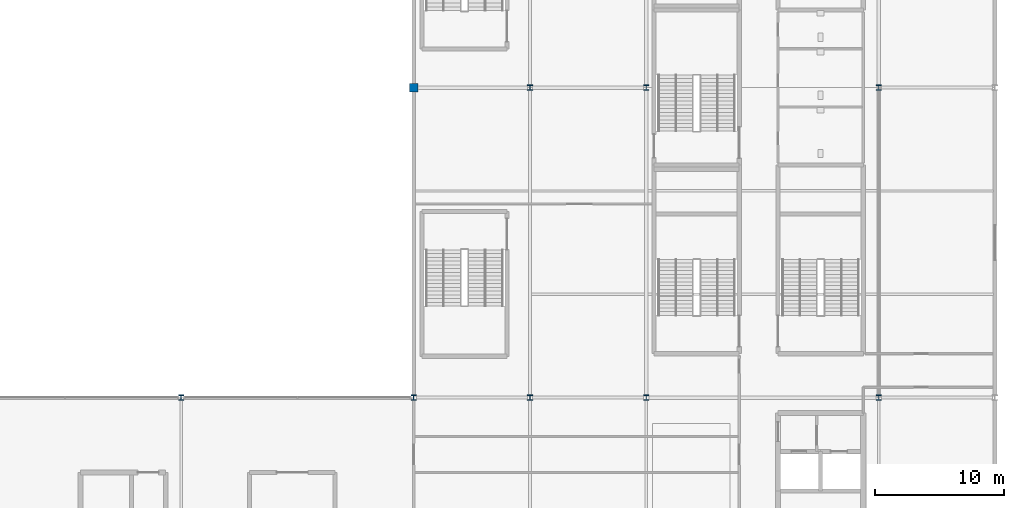
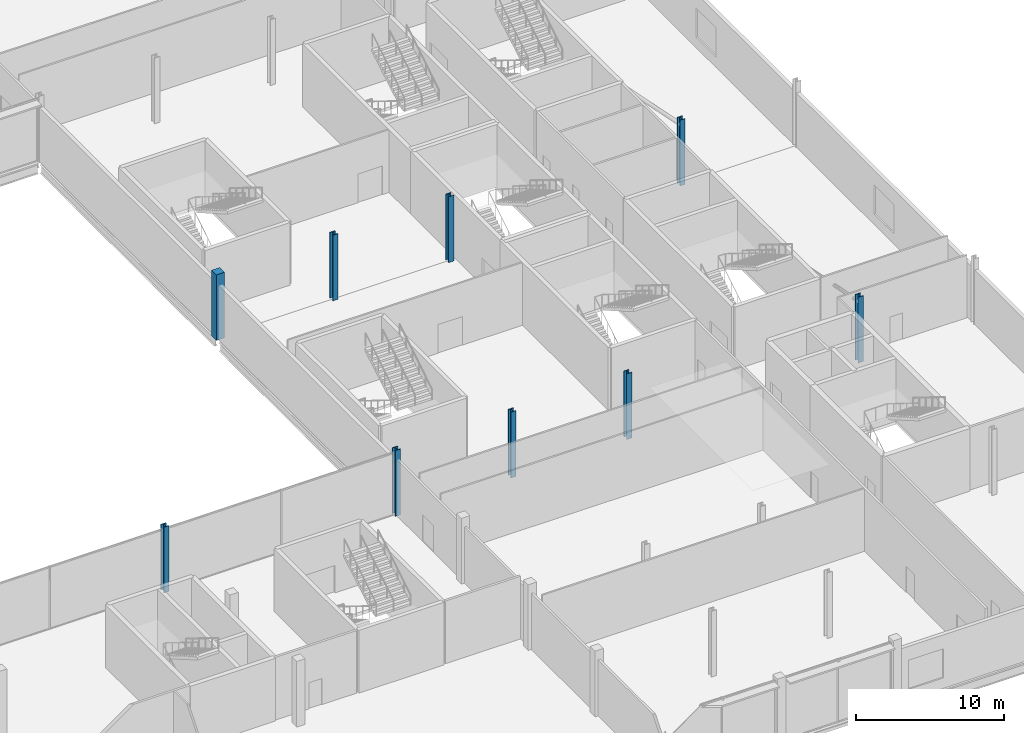
# One storey, part 8 of 111: 9 columns.
"""IFC4 building model written with IfcOpenShell, lengths in metres."""

from ifc_helpers import new_model, si_unit, direction, frame, origin, origin_2d, place, context, subcontext, project, spatial, rectangle, i_section, extrude, material, material_profile, profile_set, type_object, element, save


model = new_model("IFC4")

# Units and contexts
model_context = context("Model", 3, precision=1e-05, world=origin(), true_north=direction((0.0, 1.0)))
body_context = subcontext(model_context, "Body", "Model", "MODEL_VIEW")
ifc_project = project(units=[si_unit("LENGTHUNIT", "METRE"), si_unit("AREAUNIT", "SQUARE_METRE"), si_unit("VOLUMEUNIT", "CUBIC_METRE"), si_unit("PLANEANGLEUNIT", "RADIAN"), si_unit("MASSUNIT", "GRAM", prefix="KILO")], contexts=[model_context])

# Site, building, storey
site_placement = place(None, origin())
site = spatial("IfcSite", under=ifc_project, at=site_placement, CompositionType="ELEMENT")
building_placement = place(site_placement, origin())
building = spatial("IfcBuilding", under=site, at=building_placement, Name="Kisiwana Market Hall", CompositionType="ELEMENT")
storey_placement = place(building_placement, frame((0.0, 0.0, 11.39990234375)))
storey = spatial("IfcBuildingStorey", under=building, at=storey_placement, Name="L02", CompositionType="ELEMENT", Elevation=11.39990234375)

# Columns
ifc_material_1 = material(Name="Concrete C40/50", Category="concrete")
ifc_material_profile_1 = material_profile(ifc_material_1, rectangle(XDim=0.64990234375, YDim=0.64990234375, at=origin_2d()), Name="RC 650x650")
ifc_profile_set_1 = profile_set([ifc_material_profile_1], Name="Concrete C40/50")
column_type_1 = type_object("IfcColumnType", Name="COL-RC-POD-650", PredefinedType="COLUMN", material=ifc_profile_set_1)
column_placement = place(storey_placement, frame((153.0, 60.0, 0.0), z_axis=(0.0, 0.0, 1.0), x_axis=(1.0, 0.0, 0.0)))
element("IfcColumn", 1, at=column_placement, inside=storey, type_object=column_type_1, Name="Column H/18 (L02) C-0604", PredefinedType="COLUMN", context=body_context, shape_type="SweptSolid", body=[
    extrude(rectangle(XDim=0.64990234375, YDim=0.64990234375, at=origin_2d()), origin(), (0.0, 0.0, 1.0), 5.400146484375),
])
ifc_material_2 = material(Name="Steel S355", Category="steel")
ifc_material_profile_2 = material_profile(ifc_material_2, i_section(OverallWidth=0.406005859375, OverallDepth=0.416015625, WebThickness=0.02978515625, FlangeThickness=0.048095703125, at=origin_2d()), Name="HD 400x382")
ifc_profile_set_2 = profile_set([ifc_material_profile_2], Name="Steel S355")
column_type_2 = type_object("IfcColumnType", Name="COL-STL-HD382", PredefinedType="COLUMN", material=ifc_profile_set_2)
for number, where, z_axis, x_axis, name in (
    (2, (162.0, 36.0, 0.0), (0.0, 0.0, 1.0), (1.0, 0.0, 0.0), "Column E/19 (L02) C-0613"),
    (3, (171.0, 36.0, 0.0), (0.0, 0.0, 1.0), (1.0, 0.0, 0.0), "Column E/20 (L02) C-0621"),
    (4, (171.0, 60.0, 0.0), (0.0, 0.0, 1.0), (1.0, 0.0, 0.0), "Column H/20 (L02) C-0622"),
    (5, (189.0, 36.0, 0.0), (0.0, 0.0, 1.0), (1.0, 0.0, 0.0), "Column E/22 (L02) C-0630"),
    (6, (162.0, 60.0, 0.0), (0.0, 0.0, 1.0), (1.0, 0.0, 0.0), "Column H/19 (L02) C-0508"),
    (7, (189.0, 60.0, 0.0), (0.0, 0.0, 1.0), (1.0, 0.0, 0.0), "Column H/22 (L02) C-0509"),
):
    element("IfcColumn", number, at=place(storey_placement, frame(where, z_axis=z_axis, x_axis=x_axis)), inside=storey, type_object=column_type_2, Name=name, PredefinedType="COLUMN", context=body_context, shape_type="SweptSolid", body=[
        extrude(i_section(OverallWidth=0.406005859375, OverallDepth=0.416015625, WebThickness=0.02978515625, FlangeThickness=0.048095703125, at=origin_2d()), origin(), (0.0, 0.0, 1.0), 5.400146484375),
    ])
ifc_material_3 = material(Name="Steel S355", Category="steel")
ifc_material_profile_3 = material_profile(ifc_material_3, i_section(OverallWidth=0.412109375, OverallDepth=0.43505859375, WebThickness=0.035888671875, FlangeThickness=0.05810546875, at=origin_2d()), Name="HD 400x463")
ifc_profile_set_3 = profile_set([ifc_material_profile_3], Name="Steel S355")
column_type_3 = type_object("IfcColumnType", Name="COL-STL-HD463", PredefinedType="COLUMN", material=ifc_profile_set_3)
for number, where, z_axis, x_axis, name in (
    (8, (135.0, 36.0, 0.0), (0.0, 0.0, 1.0), (1.0, 0.0, 0.0), "Column E/16 (L02) C-0594"),
    (9, (153.0, 36.0, 0.0), (0.0, 0.0, 1.0), (1.0, 0.0, 0.0), "Column E/18 (L02) C-0603"),
):
    element("IfcColumn", number, at=place(storey_placement, frame(where, z_axis=z_axis, x_axis=x_axis)), inside=storey, type_object=column_type_3, Name=name, PredefinedType="COLUMN", context=body_context, shape_type="SweptSolid", body=[
        extrude(i_section(OverallWidth=0.412109375, OverallDepth=0.43505859375, WebThickness=0.035888671875, FlangeThickness=0.05810546875, at=origin_2d()), origin(), (0.0, 0.0, 1.0), 5.400146484375),
    ])

save(model, "model.ifc")
